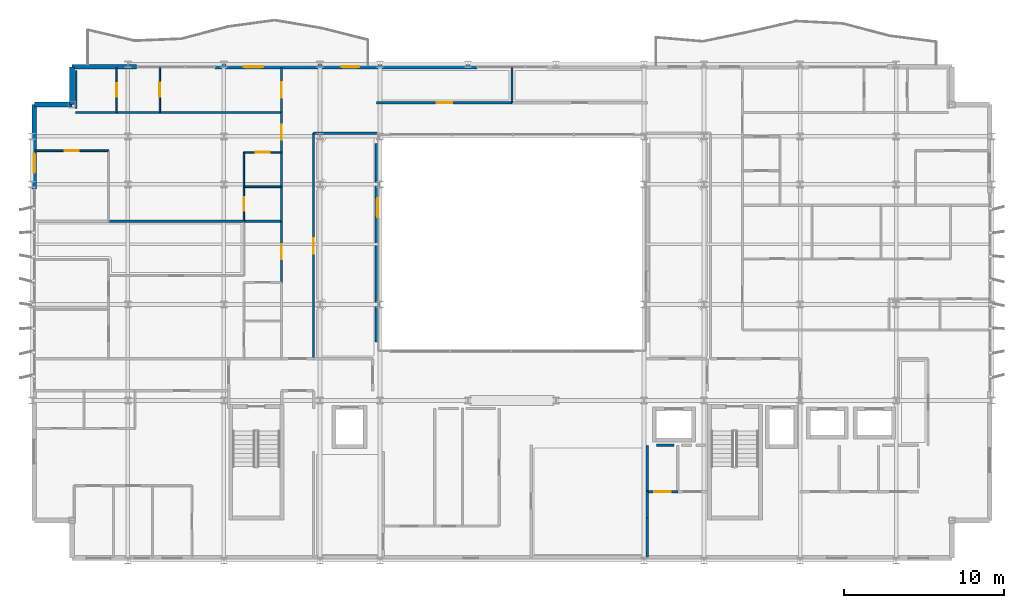
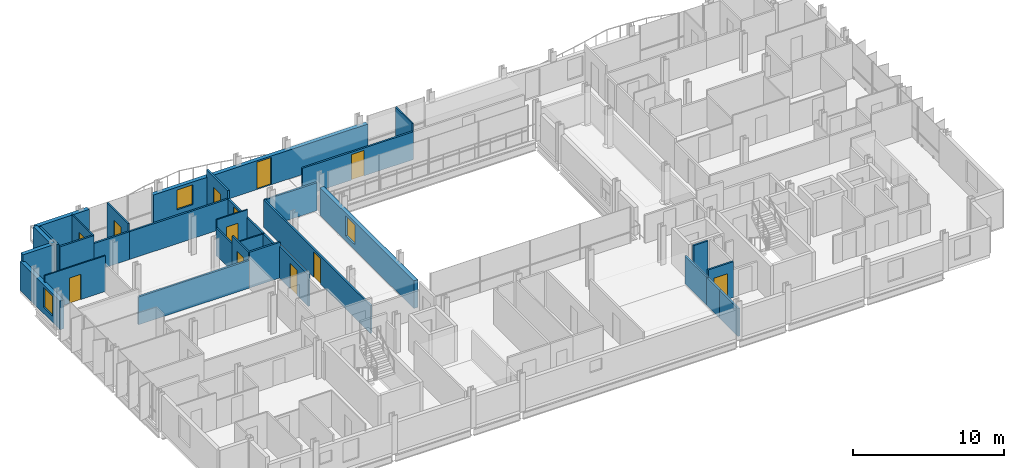
# One storey, part 31 of 40: 33 walls, 12 doors, 3 windows, 15 openings.
"""IFC4 building model written with IfcOpenShell, lengths in metres."""

from ifc_helpers import new_model, si_unit, direction, frame, frame_2d, origin, place, context, subcontext, project, spatial, rectangle, extrude, material, layer, layer_set, type_object, element, fill, save


model = new_model("IFC4")

# Units and contexts
model_context = context("Model", 3, precision=1e-05, world=origin(), true_north=direction((0.0, 1.0)))
body_context = subcontext(model_context, "Body", "Model", "MODEL_VIEW")
ifc_project = project(units=[si_unit("LENGTHUNIT", "METRE"), si_unit("AREAUNIT", "SQUARE_METRE"), si_unit("VOLUMEUNIT", "CUBIC_METRE"), si_unit("PLANEANGLEUNIT", "RADIAN"), si_unit("MASSUNIT", "GRAM", prefix="KILO")], contexts=[model_context])

# Site, building, storey
site_placement = place(None, origin())
site = spatial("IfcSite", under=ifc_project, at=site_placement, CompositionType="ELEMENT")
building_placement = place(site_placement, origin())
building = spatial("IfcBuilding", under=site, at=building_placement, Name="Brevholm Reach", CompositionType="ELEMENT")
storey_placement = place(building_placement, frame((0.0, 0.0, 160.39990234375)))
storey = spatial("IfcBuildingStorey", under=building, at=storey_placement, Name="L48", CompositionType="ELEMENT", Elevation=160.39990234375)

# Walls
ifc_material_1 = material(Name="Concrete C40/50", Category="concrete")
ifc_layer_1 = layer(ifc_material_1, 0.300048828125)
ifc_layer_set_1 = layer_set([ifc_layer_1], Name="Concrete C40/50")
wall_type_1 = type_object("IfcWallType", Name="WAL-EXT-300", PredefinedType="STANDARD", material=ifc_layer_set_1)
for number, where, z_axis, x_axis, name in (
    (1, (2.5, 30.85009765625, 0.0), (0.0, 0.0, 1.0), (0.0, -1.0, 0.0), "L48 Facade Wall WAL-L48-CNW1"),
    (2, (2.5, 28.5, 0.0), (0.0, 0.0, 1.0), (-1.0, 0.0, 0.0), "L48 Facade Wall WAL-L48-CNW2"),
):
    element("IfcWall", number, at=place(storey_placement, frame(where, z_axis=z_axis, x_axis=x_axis)), inside=storey, type_object=wall_type_1, Name=name, PredefinedType="STANDARD", context=body_context, shape_type="SweptSolid", body=[
        extrude(rectangle(XDim=2.35009765625, YDim=0.300048828125, at=frame_2d((1.175048828125, 0.0))), origin(), (0.0, 0.0, 1.0), 2.880126953125),
    ])

# Wall, opening, window
wall_1_placement = place(storey_placement, frame((0.14990234375, 28.5, 0.0), z_axis=(0.0, 0.0, 1.0), x_axis=(0.0, -1.0, 0.0)))
wall_1 = element("IfcWall", 3, at=wall_1_placement, inside=storey, type_object=wall_type_1, Name="L48 Facade Wall WAL-L48-W-N", PredefinedType="STANDARD", context=body_context, shape_type="SweptSolid", body=[
    extrude(rectangle(XDim=5.280029296875, YDim=0.300048828125, at=frame_2d((2.64013671875, 0.0))), origin(), (0.0, 0.0, 1.0), 2.322021484375),
])
opening_1_placement = place(wall_1_placement, frame((3.080078125, 0.0, 0.501953125)))
opening_1 = element("IfcOpeningElement", 4, at=opening_1_placement, cuts=wall_1, Name="Opening WN-08", PredefinedType="OPENING", context=body_context, shape_type="SweptSolid", body=[
    extrude(rectangle(XDim=1.199951171875, YDim=1.60009765625, at=frame_2d((0.60009765625, 0.800048828125))), frame((0.0, 0.159912109375, 0.0), z_axis=(0.0, -1.0, 0.0), x_axis=(1.0, 0.0, 0.0)), (0.0, 0.0, 1.0), 0.320068359375),
])
ifc_material_2 = material(Name="Dark Anodised Aluminium and Solar-Control IGU Glass", Category="aluminium")
window_type = type_object("IfcWindowType", Name="WIN-RES-1200", PartitioningType="SINGLE_PANEL", PredefinedType="WINDOW", material=ifc_material_2)
window_1_placement = place(opening_1_placement, origin())
window_1 = element("IfcWindow", 5, at=window_1_placement, inside=storey, type_object=window_type, Name="L48 Window WIN-L48-WN-1", OverallHeight=1.60009765625, OverallWidth=1.199951171875, PartitioningType="SINGLE_PANEL", PredefinedType="WINDOW", context=body_context, shape_type="SweptSolid", body=[
    extrude(rectangle(XDim=1.199951171875, YDim=1.60009765625, at=frame_2d((0.60009765625, 0.800048828125))), frame((0.0, 0.030029296875, 0.0), z_axis=(0.0, -1.0, 0.0), x_axis=(1.0, 0.0, 0.0)), (0.0, 0.0, 1.0), 0.06005859375),
])
fill(opening_1, window_1)

# Wall
wall_2_placement = place(storey_placement, frame((2.5, 30.85009765625, 0.0), z_axis=(0.0, 0.0, 1.0), x_axis=(1.0, 0.0, 0.0)))
element("IfcWall", 6, at=wall_2_placement, inside=storey, type_object=wall_type_1, Name="L48 Facade Wall WAL-L48-NP-W0", PredefinedType="STANDARD", context=body_context, shape_type="SweptSolid", body=[
    extrude(rectangle(XDim=4.050048828125, YDim=0.300048828125, at=frame_2d((2.02490234375, 0.0))), origin(), (0.0, 0.0, 1.0), 2.880126953125),
])

# Wall, openings, door, window
wall_3_placement = place(storey_placement, frame((11.449951171875, 30.85009765625, 0.0), z_axis=(0.0, 0.0, 1.0), x_axis=(1.0, 0.0, 0.0)))
wall_3 = element("IfcWall", 7, at=wall_3_placement, inside=storey, type_object=wall_type_1, Name="L48 Facade Wall WAL-L48-NP-WL", PredefinedType="STANDARD", context=body_context, shape_type="SweptSolid", body=[
    extrude(rectangle(XDim=16.35009765625, YDim=0.300048828125, at=frame_2d((8.175048828125, 0.0))), origin(), (0.0, 0.0, 1.0), 2.322021484375),
])
opening_2_placement = place(wall_3_placement, frame((7.89794921875, 0.0, 0.0)))
opening_2 = element("IfcOpeningElement", 8, at=opening_2_placement, cuts=wall_3, Name="Opening BD-01", PredefinedType="OPENING", context=body_context, shape_type="SweptSolid", body=[
    extrude(rectangle(XDim=1.10009765625, YDim=2.199951171875, at=frame_2d((0.550048828125, 1.10009765625))), frame((0.0, 0.159912109375, 0.0), z_axis=(0.0, -1.0, 0.0), x_axis=(1.0, 0.0, 0.0)), (0.0, 0.0, 1.0), 0.320068359375),
])
opening_3_placement = place(wall_3_placement, frame((1.800048828125, 0.0, 0.501953125)))
opening_3 = element("IfcOpeningElement", 9, at=opening_3_placement, cuts=wall_3, Name="Opening WN-08", PredefinedType="OPENING", context=body_context, shape_type="SweptSolid", body=[
    extrude(rectangle(XDim=1.199951171875, YDim=1.60009765625, at=frame_2d((0.60009765625, 0.800048828125))), frame((0.0, 0.159912109375, 0.0), z_axis=(0.0, -1.0, 0.0), x_axis=(1.0, 0.0, 0.0)), (0.0, 0.0, 1.0), 0.320068359375),
])
ifc_material_3 = material(Name="Dark Anodised Aluminium and Triple-Glazed Glass", Category="aluminium")
door_type_1 = type_object("IfcDoorType", Name="DOR-BALC-1100", OperationType="NOTDEFINED", PredefinedType="DOOR", material=ifc_material_3)
door_1_placement = place(opening_2_placement, origin())
door_1 = element("IfcDoor", 10, at=door_1_placement, inside=storey, type_object=door_type_1, Name="L48 Exterior Door DOR-L48-BL-NW", OperationType="SINGLE_SWING_LEFT", OverallHeight=2.199951171875, OverallWidth=1.10009765625, PredefinedType="DOOR", context=body_context, shape_type="SweptSolid", body=[
    extrude(rectangle(XDim=1.10009765625, YDim=2.199951171875, at=frame_2d((0.550048828125, 1.10009765625))), frame((0.0, 0.02490234375, 0.0), z_axis=(0.0, -1.0, 0.0), x_axis=(1.0, 0.0, 0.0)), (0.0, 0.0, 1.0), 0.050048828125),
])
fill(opening_2, door_1)
window_2_placement = place(opening_3_placement, origin())
window_2 = element("IfcWindow", 11, at=window_2_placement, inside=storey, type_object=window_type, Name="L48 Window WIN-L48-NP-WL1", OverallHeight=1.60009765625, OverallWidth=1.199951171875, PartitioningType="SINGLE_PANEL", PredefinedType="WINDOW", context=body_context, shape_type="SweptSolid", body=[
    extrude(rectangle(XDim=1.199951171875, YDim=1.60009765625, at=frame_2d((0.60009765625, 0.800048828125))), frame((0.0, 0.030029296875, 0.0), z_axis=(0.0, -1.0, 0.0), x_axis=(1.0, 0.0, 0.0)), (0.0, 0.0, 1.0), 0.06005859375),
])
fill(opening_3, window_2)

# Wall, opening, window
wall_4_placement = place(storey_placement, frame((21.60009765625, 26.050048828125, 0.0), z_axis=(0.0, 0.0, 1.0), x_axis=(0.0, -1.0, 0.0)))
wall_4 = element("IfcWall", 12, at=wall_4_placement, inside=storey, type_object=wall_type_1, Name="L48 Facade Wall WAL-L48-AT-W", PredefinedType="STANDARD", context=body_context, shape_type="SweptSolid", body=[
    extrude(rectangle(XDim=12.400146484375, YDim=0.300048828125, at=frame_2d((6.2001953125, 0.0))), origin(), (0.0, 0.0, 1.0), 2.242919921875),
])
opening_4_placement = place(wall_4_placement, frame((3.39990234375, 0.0, 0.423095703125)))
opening_4 = element("IfcOpeningElement", 13, at=opening_4_placement, cuts=wall_4, Name="Opening WN-08", PredefinedType="OPENING", context=body_context, shape_type="SweptSolid", body=[
    extrude(rectangle(XDim=1.199951171875, YDim=1.60009765625, at=frame_2d((0.60009765625, 0.800048828125))), frame((0.0, 0.159912109375, 0.0), z_axis=(0.0, -1.0, 0.0), x_axis=(1.0, 0.0, 0.0)), (0.0, 0.0, 1.0), 0.320068359375),
])
window_3_placement = place(opening_4_placement, origin())
window_3 = element("IfcWindow", 14, at=window_3_placement, inside=storey, type_object=window_type, Name="L48 Window WIN-L48-AT-W1", OverallHeight=1.60009765625, OverallWidth=1.199951171875, PartitioningType="SINGLE_PANEL", PredefinedType="WINDOW", context=body_context, shape_type="SweptSolid", body=[
    extrude(rectangle(XDim=1.199951171875, YDim=1.60009765625, at=frame_2d((0.60009765625, 0.800048828125))), frame((0.0, 0.030029296875, 0.0), z_axis=(0.0, -1.0, 0.0), x_axis=(1.0, 0.0, 0.0)), (0.0, 0.0, 1.0), 0.06005859375),
])
fill(opening_4, window_3)

# Wall
ifc_material_4 = material(Name="Moisture-Resistant Acoustic Gypsum Stud Partition 100 mm", Category="gypsum")
ifc_layer_2 = layer(ifc_material_4, 0.10009765625)
ifc_layer_set_2 = layer_set([ifc_layer_2], Name="Moisture-Resistant Acoustic Gypsum Stud Partition 100 mm")
wall_type_2 = type_object("IfcWallType", Name="WAL-PRT-100", PredefinedType="PARTITIONING", material=ifc_layer_set_2)
wall_5_placement = place(storey_placement, frame((13.25, 23.35009765625, 0.0), z_axis=(0.0, 0.0, 1.0), x_axis=(1.0, 0.0, 0.0)))
element("IfcWall", 15, at=wall_5_placement, inside=storey, type_object=wall_type_2, Name="L48 Internal Partition 093", PredefinedType="PARTITIONING", context=body_context, shape_type="SweptSolid", body=[
    extrude(rectangle(XDim=2.345947265625, YDim=0.10009765625, at=frame_2d((1.1728515625, 0.0))), origin(), (0.0, 0.0, 1.0), 2.242919921875),
])

# Wall, opening, door
wall_6_placement = place(storey_placement, frame((13.25, 21.2041015625, 0.0), z_axis=(0.0, 0.0, 1.0), x_axis=(0.0, 1.0, 0.0)))
wall_6 = element("IfcWall", 16, at=wall_6_placement, inside=storey, type_object=wall_type_2, Name="L48 Internal Partition 094", PredefinedType="PARTITIONING", context=body_context, shape_type="SweptSolid", body=[
    extrude(rectangle(XDim=2.14599609375, YDim=0.10009765625, at=frame_2d((1.072998046875, 0.0))), origin(), (0.0, 0.0, 1.0), 2.880126953125),
])
opening_5_placement = place(wall_6_placement, frame((0.6630859375, 0.0, 0.0)))
opening_5 = element("IfcOpeningElement", 17, at=opening_5_placement, cuts=wall_6, Name="Opening ID-03", PredefinedType="OPENING", context=body_context, shape_type="SweptSolid", body=[
    extrude(rectangle(XDim=0.820068359375, YDim=2.02001953125, at=frame_2d((0.41015625, 1.010009765625))), frame((0.0, 0.06005859375, 0.0), z_axis=(0.0, -1.0, 0.0), x_axis=(1.0, 0.0, 0.0)), (0.0, 0.0, 1.0), 0.1201171875),
])
ifc_material_5 = material(Name="Moisture-Resistant Painted Timber Internal Bathroom Door", Category="wood")
door_type_2 = type_object("IfcDoorType", Name="DOR-BATH-820", OperationType="NOTDEFINED", PredefinedType="DOOR", material=ifc_material_5)
door_2_placement = place(opening_5_placement, origin())
door_2 = element("IfcDoor", 18, at=door_2_placement, inside=storey, type_object=door_type_2, Name="L48 Internal Door 041", OperationType="SINGLE_SWING_RIGHT", OverallHeight=2.02001953125, OverallWidth=0.820068359375, PredefinedType="DOOR", context=body_context, shape_type="SweptSolid", body=[
    extrude(rectangle(XDim=0.820068359375, YDim=2.02001953125, at=frame_2d((0.41015625, 1.010009765625))), frame((0.0, 0.02490234375, 0.0), z_axis=(0.0, -1.0, 0.0), x_axis=(1.0, 0.0, 0.0)), (0.0, 0.0, 1.0), 0.050048828125),
])
fill(opening_5, door_2)

wall_7_placement = place(storey_placement, frame((13.25, 25.5, 0.0), z_axis=(0.0, 0.0, 1.0), x_axis=(1.0, 0.0, 0.0)))
wall_7 = element("IfcWall", 19, at=wall_7_placement, inside=storey, type_object=wall_type_2, Name="L48 Internal Partition 095", PredefinedType="PARTITIONING", context=body_context, shape_type="SweptSolid", body=[
    extrude(rectangle(XDim=2.345947265625, YDim=0.10009765625, at=frame_2d((1.1728515625, 0.0))), origin(), (0.0, 0.0, 1.0), 2.880126953125),
])
opening_6_placement = place(wall_7_placement, frame((0.73291015625, 0.0, 0.0)))
opening_6 = element("IfcOpeningElement", 20, at=opening_6_placement, cuts=wall_7, Name="Opening ID-01", PredefinedType="OPENING", context=body_context, shape_type="SweptSolid", body=[
    extrude(rectangle(XDim=0.8798828125, YDim=2.0400390625, at=frame_2d((0.43994140625, 1.02001953125))), frame((0.0, 0.06005859375, 0.0), z_axis=(0.0, -1.0, 0.0), x_axis=(1.0, 0.0, 0.0)), (0.0, 0.0, 1.0), 0.1201171875),
])
ifc_material_6 = material(Name="Lacquered Ash Solid-Core Acoustic Internal Door", Category="timber")
door_type_3 = type_object("IfcDoorType", Name="DOR-INT-880", OperationType="NOTDEFINED", PredefinedType="DOOR", material=ifc_material_6)
door_3_placement = place(opening_6_placement, origin())
door_3 = element("IfcDoor", 21, at=door_3_placement, inside=storey, type_object=door_type_3, Name="L48 Internal Door 042", OperationType="SINGLE_SWING_LEFT", OverallHeight=2.0400390625, OverallWidth=0.8798828125, PredefinedType="DOOR", context=body_context, shape_type="SweptSolid", body=[
    extrude(rectangle(XDim=0.8798828125, YDim=2.0400390625, at=frame_2d((0.43994140625, 1.02001953125))), frame((0.0, 0.02490234375, 0.0), z_axis=(0.0, -1.0, 0.0), x_axis=(1.0, 0.0, 0.0)), (0.0, 0.0, 1.0), 0.050048828125),
])
fill(opening_6, door_3)

# Wall
wall_8_placement = place(storey_placement, frame((13.25, 23.35400390625, 0.0), z_axis=(0.0, 0.0, 1.0), x_axis=(0.0, 1.0, 0.0)))
element("IfcWall", 22, at=wall_8_placement, inside=storey, type_object=wall_type_2, Name="L48 Internal Partition 096", PredefinedType="PARTITIONING", context=body_context, shape_type="SweptSolid", body=[
    extrude(rectangle(XDim=2.14599609375, YDim=0.10009765625, at=frame_2d((1.072998046875, 0.0))), origin(), (0.0, 0.0, 1.0), 2.242919921875),
])

# Wall, opening, door
wall_9_placement = place(storey_placement, frame((0.199951171875, 25.60009765625, 0.0), z_axis=(0.0, 0.0, 1.0), x_axis=(1.0, 0.0, 0.0)))
wall_9 = element("IfcWall", 23, at=wall_9_placement, inside=storey, type_object=wall_type_2, Name="L48 Internal Partition 098", PredefinedType="PARTITIONING", context=body_context, shape_type="SweptSolid", body=[
    extrude(rectangle(XDim=4.60009765625, YDim=0.10009765625, at=frame_2d((2.300048828125, 0.0))), origin(), (0.0, 0.0, 1.0), 2.880126953125),
])
opening_7_placement = place(wall_9_placement, frame((1.860107421875, 0.0, 0.0)))
opening_7 = element("IfcOpeningElement", 24, at=opening_7_placement, cuts=wall_9, Name="Opening ID-01", PredefinedType="OPENING", context=body_context, shape_type="SweptSolid", body=[
    extrude(rectangle(XDim=0.8798828125, YDim=2.0400390625, at=frame_2d((0.43994140625, 1.02001953125))), frame((0.0, 0.06005859375, 0.0), z_axis=(0.0, -1.0, 0.0), x_axis=(1.0, 0.0, 0.0)), (0.0, 0.0, 1.0), 0.1201171875),
])
door_4_placement = place(opening_7_placement, origin())
door_4 = element("IfcDoor", 25, at=door_4_placement, inside=storey, type_object=door_type_3, Name="L48 Internal Door 043", OperationType="SINGLE_SWING_RIGHT", OverallHeight=2.0400390625, OverallWidth=0.8798828125, PredefinedType="DOOR", context=body_context, shape_type="SweptSolid", body=[
    extrude(rectangle(XDim=0.8798828125, YDim=2.0400390625, at=frame_2d((0.43994140625, 1.02001953125))), frame((0.0, 0.02490234375, 0.0), z_axis=(0.0, -1.0, 0.0), x_axis=(1.0, 0.0, 0.0)), (0.0, 0.0, 1.0), 0.050048828125),
])
fill(opening_7, door_4)

wall_10_placement = place(storey_placement, frame((5.300048828125, 28.00390625, 0.0), z_axis=(0.0, 0.0, 1.0), x_axis=(0.0, 1.0, 0.0)))
wall_10 = element("IfcWall", 26, at=wall_10_placement, inside=storey, type_object=wall_type_2, Name="L48 Internal Partition 127", PredefinedType="PARTITIONING", context=body_context, shape_type="SweptSolid", body=[
    extrude(rectangle(XDim=2.796142578125, YDim=0.10009765625, at=frame_2d((1.39794921875, 0.0))), origin(), (0.0, 0.0, 1.0), 2.880126953125),
])
opening_8_placement = place(wall_10_placement, frame((0.988037109375, 0.0, 0.0)))
opening_8 = element("IfcOpeningElement", 27, at=opening_8_placement, cuts=wall_10, Name="Opening ID-03", PredefinedType="OPENING", context=body_context, shape_type="SweptSolid", body=[
    extrude(rectangle(XDim=0.820068359375, YDim=2.02001953125, at=frame_2d((0.41015625, 1.010009765625))), frame((0.0, 0.06005859375, 0.0), z_axis=(0.0, -1.0, 0.0), x_axis=(1.0, 0.0, 0.0)), (0.0, 0.0, 1.0), 0.1201171875),
])
door_5_placement = place(opening_8_placement, origin())
door_5 = element("IfcDoor", 28, at=door_5_placement, inside=storey, type_object=door_type_2, Name="L48 Access Door 054", OperationType="SINGLE_SWING_LEFT", OverallHeight=2.02001953125, OverallWidth=0.820068359375, PredefinedType="DOOR", context=body_context, shape_type="SweptSolid", body=[
    extrude(rectangle(XDim=0.820068359375, YDim=2.02001953125, at=frame_2d((0.41015625, 1.010009765625))), frame((0.0, 0.02490234375, 0.0), z_axis=(0.0, -1.0, 0.0), x_axis=(1.0, 0.0, 0.0)), (0.0, 0.0, 1.0), 0.050048828125),
])
fill(opening_8, door_5)

wall_11_placement = place(storey_placement, frame((8.0, 28.00390625, 0.0), z_axis=(0.0, 0.0, 1.0), x_axis=(0.0, 1.0, 0.0)))
wall_11 = element("IfcWall", 29, at=wall_11_placement, inside=storey, type_object=wall_type_2, Name="L48 Internal Partition 128", PredefinedType="PARTITIONING", context=body_context, shape_type="SweptSolid", body=[
    extrude(rectangle(XDim=2.796142578125, YDim=0.10009765625, at=frame_2d((1.39794921875, 0.0))), origin(), (0.0, 0.0, 1.0), 2.880126953125),
])
opening_9_placement = place(wall_11_placement, frame((0.9580078125, 0.0, 0.0)))
opening_9 = element("IfcOpeningElement", 30, at=opening_9_placement, cuts=wall_11, Name="Opening ID-01", PredefinedType="OPENING", context=body_context, shape_type="SweptSolid", body=[
    extrude(rectangle(XDim=0.8798828125, YDim=2.0400390625, at=frame_2d((0.43994140625, 1.02001953125))), frame((0.0, 0.06005859375, 0.0), z_axis=(0.0, -1.0, 0.0), x_axis=(1.0, 0.0, 0.0)), (0.0, 0.0, 1.0), 0.1201171875),
])
door_6_placement = place(opening_9_placement, origin())
door_6 = element("IfcDoor", 31, at=door_6_placement, inside=storey, type_object=door_type_3, Name="L48 Internal Door 051", OperationType="SINGLE_SWING_RIGHT", OverallHeight=2.0400390625, OverallWidth=0.8798828125, PredefinedType="DOOR", context=body_context, shape_type="SweptSolid", body=[
    extrude(rectangle(XDim=0.8798828125, YDim=2.0400390625, at=frame_2d((0.43994140625, 1.02001953125))), frame((0.0, 0.02490234375, 0.0), z_axis=(0.0, -1.0, 0.0), x_axis=(1.0, 0.0, 0.0)), (0.0, 0.0, 1.0), 0.050048828125),
])
fill(opening_9, door_6)

# Walls
wall_12_placement = place(storey_placement, frame((30.0, 28.60400390625, 0.0), z_axis=(0.0, 0.0, 1.0), x_axis=(0.0, 1.0, 0.0)))
element("IfcWall", 32, at=wall_12_placement, inside=storey, type_object=wall_type_2, Name="L48 Internal Partition 129", PredefinedType="PARTITIONING", context=body_context, shape_type="SweptSolid", body=[
    extrude(rectangle(XDim=2.196044921875, YDim=0.10009765625, at=frame_2d((1.09814453125, 0.0))), origin(), (0.0, 0.0, 1.0), 2.880126953125),
])
ifc_material_7 = material(Name="Twin-Stud Acoustic Fire-Rated Gypsum Partition 140 mm", Category="gypsum")
ifc_layer_3 = layer(ifc_material_7, 0.139892578125)
ifc_layer_set_3 = layer_set([ifc_layer_3], Name="Twin-Stud Acoustic Fire-Rated Gypsum Partition 140 mm")
wall_type_3 = type_object("IfcWallType", Name="WAL-PRT-140", PredefinedType="PARTITIONING", material=ifc_layer_set_3)
wall_13_placement = place(storey_placement, frame((38.449951171875, 0.179931640625, 0.0), z_axis=(0.0, 0.0, 1.0), x_axis=(0.0, 1.0, 0.0)))
element("IfcWall", 33, at=wall_13_placement, inside=storey, type_object=wall_type_3, Name="L48 Internal Partition 010", PredefinedType="PARTITIONING", context=body_context, shape_type="SweptSolid", body=[
    extrude(rectangle(XDim=2.4814453125, YDim=0.139892578125, at=frame_2d((1.24072265625, 0.0))), origin(), (0.0, 0.0, 1.0), 2.242919921875),
])
wall_14_placement = place(storey_placement, frame((38.449951171875, 2.642578125, 0.0), z_axis=(0.0, 0.0, 1.0), x_axis=(0.0, 1.0, 0.0)))
element("IfcWall", 34, at=wall_14_placement, inside=storey, type_object=wall_type_3, Name="L48 Internal Partition 011", PredefinedType="PARTITIONING", context=body_context, shape_type="SweptSolid", body=[
    extrude(rectangle(XDim=1.668701171875, YDim=0.139892578125, at=frame_2d((0.83447265625, 0.0))), origin(), (0.0, 0.0, 1.0), 2.242919921875),
])
wall_15_placement = place(storey_placement, frame((38.449951171875, 4.292724609375, 0.0), z_axis=(0.0, 0.0, 1.0), x_axis=(0.0, 1.0, 0.0)))
element("IfcWall", 35, at=wall_15_placement, inside=storey, type_object=wall_type_3, Name="L48 Internal Partition 012", PredefinedType="PARTITIONING", context=body_context, shape_type="SweptSolid", body=[
    extrude(rectangle(XDim=2.9072265625, YDim=0.139892578125, at=frame_2d((1.45361328125, 0.0))), origin(), (0.0, 0.0, 1.0), 2.242919921875),
])

# Wall, opening, door
wall_16_placement = place(storey_placement, frame((38.4541015625, 4.300048828125, 0.0), z_axis=(0.0, 0.0, 1.0), x_axis=(1.0, 0.0, 0.0)))
wall_16 = element("IfcWall", 36, at=wall_16_placement, inside=storey, type_object=wall_type_3, Name="L48 Internal Partition 018", PredefinedType="PARTITIONING", context=body_context, shape_type="SweptSolid", body=[
    extrude(rectangle(XDim=1.9072265625, YDim=0.139892578125, at=frame_2d((0.95361328125, 0.0))), origin(), (0.0, 0.0, 1.0), 2.880126953125),
])
opening_10_placement = place(wall_16_placement, frame((0.4287109375, 0.0, 0.0)))
opening_10 = element("IfcOpeningElement", 37, at=opening_10_placement, cuts=wall_16, Name="Opening FD-01", PredefinedType="OPENING", context=body_context, shape_type="SweptSolid", body=[
    extrude(rectangle(XDim=1.050048828125, YDim=2.06005859375, at=frame_2d((0.52490234375, 1.030029296875))), frame((0.0, 0.079833984375, 0.0), z_axis=(0.0, -1.0, 0.0), x_axis=(1.0, 0.0, 0.0)), (0.0, 0.0, 1.0), 0.159912109375),
])
ifc_material_8 = material(Name="Hardwood-Lipped Steel-Core Fire and Smoke Door", Category="steel")
door_type_4 = type_object("IfcDoorType", Name="DOR-INT-FD60S", OperationType="NOTDEFINED", PredefinedType="DOOR", material=ifc_material_8)
door_7_placement = place(opening_10_placement, origin())
door_7 = element("IfcDoor", 38, at=door_7_placement, inside=storey, type_object=door_type_4, Name="L48 Internal Door 008", OperationType="SINGLE_SWING_LEFT", OverallHeight=2.06005859375, OverallWidth=1.050048828125, PredefinedType="DOOR", context=body_context, shape_type="SweptSolid", body=[
    extrude(rectangle(XDim=1.050048828125, YDim=2.06005859375, at=frame_2d((0.52490234375, 1.030029296875))), frame((0.0, 0.02490234375, 0.0), z_axis=(0.0, -1.0, 0.0), x_axis=(1.0, 0.0, 0.0)), (0.0, 0.0, 1.0), 0.050048828125),
])
fill(opening_10, door_7)

wall_17_placement = place(storey_placement, frame((15.60009765625, 17.36279296875, 0.0), z_axis=(0.0, 0.0, 1.0), x_axis=(0.0, 1.0, 0.0)))
wall_17 = element("IfcWall", 39, at=wall_17_placement, inside=storey, type_object=wall_type_3, Name="L48 Internal Partition 043", PredefinedType="PARTITIONING", context=body_context, shape_type="SweptSolid", body=[
    extrude(rectangle(XDim=3.848388671875, YDim=0.139892578125, at=frame_2d((1.92431640625, 0.0))), origin(), (0.0, 0.0, 1.0), 2.5517578125),
])
opening_11_placement = place(wall_17_placement, frame((1.44921875, 0.0, 0.0)))
opening_11 = element("IfcOpeningElement", 40, at=opening_11_placement, cuts=wall_17, Name="Opening ID-30", PredefinedType="OPENING", context=body_context, shape_type="SweptSolid", body=[
    extrude(rectangle(XDim=0.949951171875, YDim=2.050048828125, at=frame_2d((0.47509765625, 1.02490234375))), frame((0.0, 0.079833984375, 0.0), z_axis=(0.0, -1.0, 0.0), x_axis=(1.0, 0.0, 0.0)), (0.0, 0.0, 1.0), 0.159912109375),
])
ifc_material_9 = material(Name="European Oak Veneered Solid-Core Fire Entrance Door", Category="timber")
door_type_5 = type_object("IfcDoorType", Name="DOR-FLT-FD30S", OperationType="NOTDEFINED", PredefinedType="DOOR", material=ifc_material_9)
door_8_placement = place(opening_11_placement, origin())
door_8 = element("IfcDoor", 41, at=door_8_placement, inside=storey, type_object=door_type_5, Name="L48 Internal Door 021", OperationType="SINGLE_SWING_RIGHT", OverallHeight=2.050048828125, OverallWidth=0.949951171875, PredefinedType="DOOR", context=body_context, shape_type="SweptSolid", body=[
    extrude(rectangle(XDim=0.949951171875, YDim=2.050048828125, at=frame_2d((0.47509765625, 1.02490234375))), frame((0.0, 0.02490234375, 0.0), z_axis=(0.0, -1.0, 0.0), x_axis=(1.0, 0.0, 0.0)), (0.0, 0.0, 1.0), 0.050048828125),
])
fill(opening_11, door_8)

# Walls
wall_18_placement = place(storey_placement, frame((15.60009765625, 21.192626953125, 0.0), z_axis=(0.0, 0.0, 1.0), x_axis=(0.0, 1.0, 0.0)))
element("IfcWall", 42, at=wall_18_placement, inside=storey, type_object=wall_type_3, Name="L48 Internal Partition 044", PredefinedType="PARTITIONING", context=body_context, shape_type="SweptSolid", body=[
    extrude(rectangle(XDim=2.168701171875, YDim=0.139892578125, at=frame_2d((1.08447265625, 0.0))), origin(), (0.0, 0.0, 1.0), 2.242919921875),
])
wall_19_placement = place(storey_placement, frame((15.60009765625, 23.3427734375, 0.0), z_axis=(0.0, 0.0, 1.0), x_axis=(0.0, 1.0, 0.0)))
element("IfcWall", 43, at=wall_19_placement, inside=storey, type_object=wall_type_3, Name="L48 Internal Partition 045", PredefinedType="PARTITIONING", context=body_context, shape_type="SweptSolid", body=[
    extrude(rectangle(XDim=2.16845703125, YDim=0.139892578125, at=frame_2d((1.084228515625, 0.0))), origin(), (0.0, 0.0, 1.0), 2.242919921875),
])

# Wall, opening, door
wall_20_placement = place(storey_placement, frame((15.60009765625, 25.49267578125, 0.0), z_axis=(0.0, 0.0, 1.0), x_axis=(0.0, 1.0, 0.0)))
wall_20 = element("IfcWall", 44, at=wall_20_placement, inside=storey, type_object=wall_type_3, Name="L48 Internal Partition 046", PredefinedType="PARTITIONING", context=body_context, shape_type="SweptSolid", body=[
    extrude(rectangle(XDim=2.5185546875, YDim=0.139892578125, at=frame_2d((1.25927734375, 0.0))), origin(), (0.0, 0.0, 1.0), 2.242919921875),
])
opening_12_placement = place(wall_20_placement, frame((0.7841796875, 0.0, 0.0)))
opening_12 = element("IfcOpeningElement", 45, at=opening_12_placement, cuts=wall_20, Name="Opening ID-30", PredefinedType="OPENING", context=body_context, shape_type="SweptSolid", body=[
    extrude(rectangle(XDim=0.949951171875, YDim=2.050048828125, at=frame_2d((0.47509765625, 1.02490234375))), frame((0.0, 0.079833984375, 0.0), z_axis=(0.0, -1.0, 0.0), x_axis=(1.0, 0.0, 0.0)), (0.0, 0.0, 1.0), 0.159912109375),
])
door_9_placement = place(opening_12_placement, origin())
door_9 = element("IfcDoor", 46, at=door_9_placement, inside=storey, type_object=door_type_5, Name="L48 Internal Door 022", OperationType="SINGLE_SWING_LEFT", OverallHeight=2.050048828125, OverallWidth=0.949951171875, PredefinedType="DOOR", context=body_context, shape_type="SweptSolid", body=[
    extrude(rectangle(XDim=0.949951171875, YDim=2.050048828125, at=frame_2d((0.47509765625, 1.02490234375))), frame((0.0, 0.02490234375, 0.0), z_axis=(0.0, -1.0, 0.0), x_axis=(1.0, 0.0, 0.0)), (0.0, 0.0, 1.0), 0.050048828125),
])
fill(opening_12, door_9)

wall_21_placement = place(storey_placement, frame((17.60009765625, 12.60400390625, 0.0), z_axis=(0.0, 0.0, 1.0), x_axis=(0.0, 1.0, 0.0)))
wall_21 = element("IfcWall", 47, at=wall_21_placement, inside=storey, type_object=wall_type_3, Name="L48 Internal Partition 047", PredefinedType="PARTITIONING", context=body_context, shape_type="SweptSolid", body=[
    extrude(rectangle(XDim=14.103271484375, YDim=0.139892578125, at=frame_2d((7.0517578125, 0.0))), origin(), (0.0, 0.0, 1.0), 2.242919921875),
])
opening_13_placement = place(wall_21_placement, frame((6.57666015625, 0.0, 0.0)))
opening_13 = element("IfcOpeningElement", 48, at=opening_13_placement, cuts=wall_21, Name="Opening ID-30", PredefinedType="OPENING", context=body_context, shape_type="SweptSolid", body=[
    extrude(rectangle(XDim=0.949951171875, YDim=2.050048828125, at=frame_2d((0.47509765625, 1.02490234375))), frame((0.0, 0.079833984375, 0.0), z_axis=(0.0, -1.0, 0.0), x_axis=(1.0, 0.0, 0.0)), (0.0, 0.0, 1.0), 0.159912109375),
])
door_10_placement = place(opening_13_placement, origin())
door_10 = element("IfcDoor", 49, at=door_10_placement, inside=storey, type_object=door_type_5, Name="L48 Internal Door 023", OperationType="SINGLE_SWING_RIGHT", OverallHeight=2.050048828125, OverallWidth=0.949951171875, PredefinedType="DOOR", context=body_context, shape_type="SweptSolid", body=[
    extrude(rectangle(XDim=0.949951171875, YDim=2.050048828125, at=frame_2d((0.47509765625, 1.02490234375))), frame((0.0, 0.02490234375, 0.0), z_axis=(0.0, -1.0, 0.0), x_axis=(1.0, 0.0, 0.0)), (0.0, 0.0, 1.0), 0.050048828125),
])
fill(opening_13, door_10)

wall_22_placement = place(storey_placement, frame((15.60009765625, 27.99267578125, 0.0), z_axis=(0.0, 0.0, 1.0), x_axis=(0.0, 1.0, 0.0)))
wall_22 = element("IfcWall", 50, at=wall_22_placement, inside=storey, type_object=wall_type_3, Name="L48 Internal Partition 048", PredefinedType="PARTITIONING", context=body_context, shape_type="SweptSolid", body=[
    extrude(rectangle(XDim=2.807373046875, YDim=0.139892578125, at=frame_2d((1.40380859375, 0.0))), origin(), (0.0, 0.0, 1.0), 2.880126953125),
])
opening_14_placement = place(wall_22_placement, frame((0.9287109375, 0.0, 0.0)))
opening_14 = element("IfcOpeningElement", 51, at=opening_14_placement, cuts=wall_22, Name="Opening ID-30", PredefinedType="OPENING", context=body_context, shape_type="SweptSolid", body=[
    extrude(rectangle(XDim=0.949951171875, YDim=2.050048828125, at=frame_2d((0.47509765625, 1.02490234375))), frame((0.0, 0.079833984375, 0.0), z_axis=(0.0, -1.0, 0.0), x_axis=(1.0, 0.0, 0.0)), (0.0, 0.0, 1.0), 0.159912109375),
])
door_11_placement = place(opening_14_placement, origin())
door_11 = element("IfcDoor", 52, at=door_11_placement, inside=storey, type_object=door_type_5, Name="L48 Internal Door 024", OperationType="SINGLE_SWING_LEFT", OverallHeight=2.050048828125, OverallWidth=0.949951171875, PredefinedType="DOOR", context=body_context, shape_type="SweptSolid", body=[
    extrude(rectangle(XDim=0.949951171875, YDim=2.050048828125, at=frame_2d((0.47509765625, 1.02490234375))), frame((0.0, 0.02490234375, 0.0), z_axis=(0.0, -1.0, 0.0), x_axis=(1.0, 0.0, 0.0)), (0.0, 0.0, 1.0), 0.050048828125),
])
fill(opening_14, door_11)

# Wall
wall_23_placement = place(storey_placement, frame((17.60400390625, 26.699951171875, 0.0), z_axis=(0.0, 0.0, 1.0), x_axis=(1.0, 0.0, 0.0)))
element("IfcWall", 53, at=wall_23_placement, inside=storey, type_object=wall_type_3, Name="L48 Internal Partition 059", PredefinedType="PARTITIONING", context=body_context, shape_type="SweptSolid", body=[
    extrude(rectangle(XDim=3.957275390625, YDim=0.139892578125, at=frame_2d((1.978515625, 0.0))), origin(), (0.0, 0.0, 1.0), 2.242919921875),
])

# Wall, opening, door
wall_24_placement = place(storey_placement, frame((21.542724609375, 28.60009765625, 0.0), z_axis=(0.0, 0.0, 1.0), x_axis=(1.0, 0.0, 0.0)))
wall_24 = element("IfcWall", 54, at=wall_24_placement, inside=storey, type_object=wall_type_3, Name="L48 Internal Partition 061", PredefinedType="PARTITIONING", context=body_context, shape_type="SweptSolid", body=[
    extrude(rectangle(XDim=8.468505859375, YDim=0.139892578125, at=frame_2d((4.234375, 0.0))), origin(), (0.0, 0.0, 1.0), 2.242919921875),
])
opening_15_placement = place(wall_24_placement, frame((3.75927734375, 0.0, 0.0)))
opening_15 = element("IfcOpeningElement", 55, at=opening_15_placement, cuts=wall_24, Name="Opening ID-30", PredefinedType="OPENING", context=body_context, shape_type="SweptSolid", body=[
    extrude(rectangle(XDim=0.949951171875, YDim=2.050048828125, at=frame_2d((0.47509765625, 1.02490234375))), frame((0.0, 0.079833984375, 0.0), z_axis=(0.0, -1.0, 0.0), x_axis=(1.0, 0.0, 0.0)), (0.0, 0.0, 1.0), 0.159912109375),
])
door_12_placement = place(opening_15_placement, origin())
door_12 = element("IfcDoor", 56, at=door_12_placement, inside=storey, type_object=door_type_5, Name="L48 Internal Door 028", OperationType="SINGLE_SWING_LEFT", OverallHeight=2.050048828125, OverallWidth=0.949951171875, PredefinedType="DOOR", context=body_context, shape_type="SweptSolid", body=[
    extrude(rectangle(XDim=0.949951171875, YDim=2.050048828125, at=frame_2d((0.47509765625, 1.02490234375))), frame((0.0, 0.02490234375, 0.0), z_axis=(0.0, -1.0, 0.0), x_axis=(1.0, 0.0, 0.0)), (0.0, 0.0, 1.0), 0.050048828125),
])
fill(opening_15, door_12)

# Walls
wall_25_placement = place(storey_placement, frame((4.792724609375, 21.199951171875, 0.0), z_axis=(0.0, 0.0, 1.0), x_axis=(1.0, 0.0, 0.0)))
element("IfcWall", 57, at=wall_25_placement, inside=storey, type_object=wall_type_3, Name="L48 Internal Partition 091", PredefinedType="PARTITIONING", context=body_context, shape_type="SweptSolid", body=[
    extrude(rectangle(XDim=8.457275390625, YDim=0.139892578125, at=frame_2d((4.228515625, 0.0))), origin(), (0.0, 0.0, 1.0), 2.242919921875),
])
wall_26_placement = place(storey_placement, frame((13.25390625, 21.199951171875, 0.0), z_axis=(0.0, 0.0, 1.0), x_axis=(1.0, 0.0, 0.0)))
element("IfcWall", 58, at=wall_26_placement, inside=storey, type_object=wall_type_3, Name="L48 Internal Partition 092", PredefinedType="PARTITIONING", context=body_context, shape_type="SweptSolid", body=[
    extrude(rectangle(XDim=2.342041015625, YDim=0.139892578125, at=frame_2d((1.1708984375, 0.0))), origin(), (0.0, 0.0, 1.0), 2.880126953125),
])
wall_27_placement = place(storey_placement, frame((2.73876953125, 28.0, 0.0), z_axis=(0.0, 0.0, 1.0), x_axis=(1.0, 0.0, 0.0)))
element("IfcWall", 59, at=wall_27_placement, inside=storey, type_object=wall_type_3, Name="L48 Internal Partition 099", PredefinedType="PARTITIONING", context=body_context, shape_type="SweptSolid", body=[
    extrude(rectangle(XDim=2.572509765625, YDim=0.139892578125, at=frame_2d((1.2861328125, 0.0))), origin(), (0.0, 0.0, 1.0), 2.880126953125),
])
wall_28_placement = place(storey_placement, frame((5.292724609375, 28.0, 0.0), z_axis=(0.0, 0.0, 1.0), x_axis=(1.0, 0.0, 0.0)))
element("IfcWall", 60, at=wall_28_placement, inside=storey, type_object=wall_type_3, Name="L48 Internal Partition 100", PredefinedType="PARTITIONING", context=body_context, shape_type="SweptSolid", body=[
    extrude(rectangle(XDim=2.718505859375, YDim=0.139892578125, at=frame_2d((1.359375, 0.0))), origin(), (0.0, 0.0, 1.0), 2.242919921875),
])
wall_29_placement = place(storey_placement, frame((7.99267578125, 28.0, 0.0), z_axis=(0.0, 0.0, 1.0), x_axis=(1.0, 0.0, 0.0)))
element("IfcWall", 61, at=wall_29_placement, inside=storey, type_object=wall_type_3, Name="L48 Internal Partition 101", PredefinedType="PARTITIONING", context=body_context, shape_type="SweptSolid", body=[
    extrude(rectangle(XDim=7.603271484375, YDim=0.139892578125, at=frame_2d((3.8017578125, 0.0))), origin(), (0.0, 0.0, 1.0), 2.242919921875),
])
wall_30_placement = place(storey_placement, frame((39.022705078125, 7.199951171875, 0.0), z_axis=(0.0, 0.0, 1.0), x_axis=(1.0, 0.0, 0.0)))
element("IfcWall", 62, at=wall_30_placement, inside=storey, type_object=wall_type_3, Name="L48 Internal Partition 134", PredefinedType="PARTITIONING", context=body_context, shape_type="SweptSolid", body=[
    extrude(rectangle(XDim=1.08740234375, YDim=0.139892578125, at=frame_2d((0.543701171875, 0.0))), origin(), (0.0, 0.0, 1.0), 2.880126953125),
])
wall_31_placement = place(storey_placement, frame((2.75, 28.239990234375, 0.0), z_axis=(0.0, 0.0, 1.0), x_axis=(0.0, 1.0, 0.0)))
element("IfcWall", 63, at=wall_31_placement, inside=storey, type_object=wall_type_3, Name="L48 Internal Partition 139", PredefinedType="PARTITIONING", context=body_context, shape_type="SweptSolid", body=[
    extrude(rectangle(XDim=2.3701171875, YDim=0.139892578125, at=frame_2d((1.18505859375, 0.0))), origin(), (0.0, 0.0, 1.0), 2.880126953125),
])

save(model, "model.ifc")
